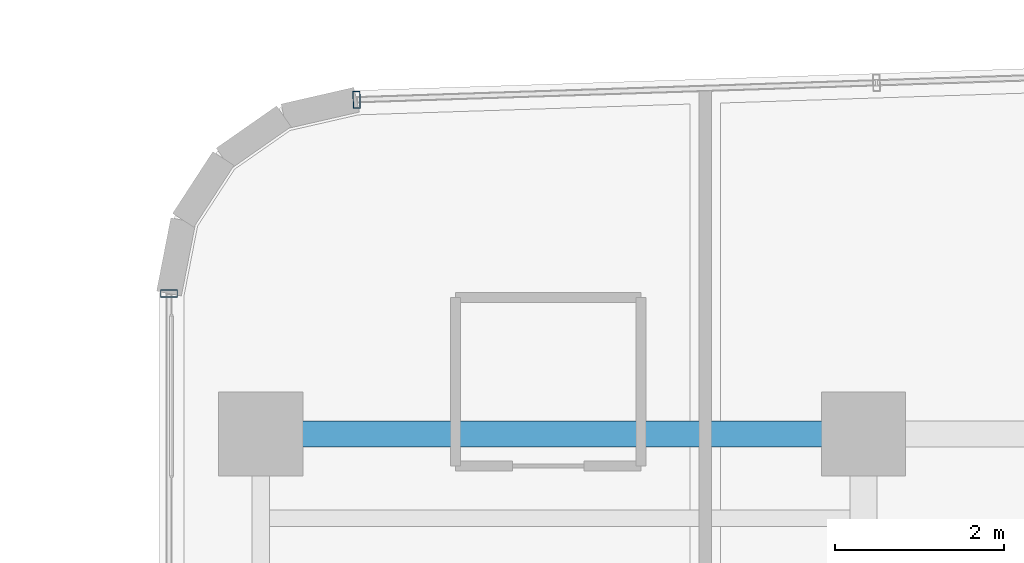
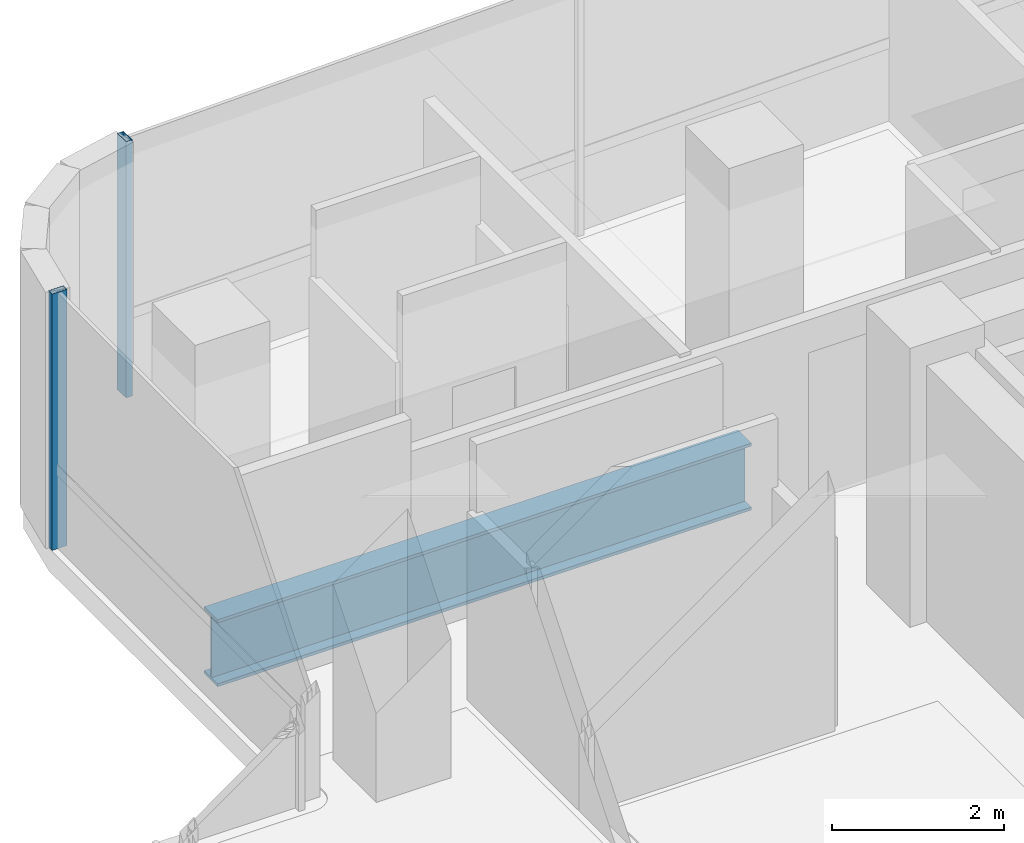
# One storey, part 17 of 38: 2 members, 1 beam, 2 elements without a shape of their own.
"""IFC4 building model written with IfcOpenShell, lengths in metres."""

from ifc_helpers import new_model, si_unit, direction, frame, origin, origin_2d, place, context, subcontext, project, spatial, hollow_rectangle, i_section, extrude, source, transform, mapped, material, material_profile, profile_set, type_object, element, aggregate, save


model = new_model("IFC4")

# Units and contexts
model_context = context("Model", 3, precision=1e-05, world=origin(), true_north=direction((0.0, 1.0)))
body_context = subcontext(model_context, "Body", "Model", "MODEL_VIEW")
ifc_project = project(units=[si_unit("LENGTHUNIT", "METRE"), si_unit("AREAUNIT", "SQUARE_METRE"), si_unit("VOLUMEUNIT", "CUBIC_METRE"), si_unit("PLANEANGLEUNIT", "RADIAN"), si_unit("MASSUNIT", "GRAM", prefix="KILO")], contexts=[model_context])

# Site, building, storey
site_placement = place(None, origin())
site = spatial("IfcSite", under=ifc_project, at=site_placement, CompositionType="ELEMENT")
building_placement = place(site_placement, origin())
building = spatial("IfcBuilding", under=site, at=building_placement, Name="Valdorenza Pilgrim Sanctuary Tower", CompositionType="ELEMENT")
storey_placement = place(building_placement, frame((0.0, 0.0, 180.5)))
storey = spatial("IfcBuildingStorey", under=building, at=storey_placement, Name="L46", CompositionType="ELEMENT", Elevation=180.5)

# Beam
ifc_material_1 = material(Name="Steel ASTM A992 Grade 50", Category="steel")
ifc_material_profile_1 = material_profile(ifc_material_1, i_section(OverallWidth=0.31005859375, OverallDepth=0.949951171875, WebThickness=0.0244140625, FlangeThickness=0.0439453125, at=origin_2d()), Name="W36X256")
ifc_profile_set_1 = profile_set([ifc_material_profile_1], Name="Steel ASTM A992 Grade 50")
beam_type = type_object("IfcBeamType", Name="STR-BM-GRD-W36B", PredefinedType="BEAM", material=ifc_profile_set_1)
shared_shape_1 = source(origin(), body_context, "Body", "SweptSolid", [
    extrude(i_section(OverallWidth=0.31005859375, OverallDepth=0.949951171875, WebThickness=0.0244140625, FlangeThickness=0.0439453125, at=origin_2d()), origin(), (0.0, 0.0, 1.0), 7.150146484375),
])
beam_placement = place(storey_placement, frame((-29.800048828125, 14.800048828125, -0.794921875), z_axis=(1.0, 0.0, 0.0), x_axis=(0.0, 1.0, 0.0)))
element("IfcBeam", 1, at=beam_placement, inside=storey, type_object=beam_type, Name="L46 Floor Girder WA-XW-N2", PredefinedType="BEAM", context=body_context, shape_type="MappedRepresentation", body=[
    mapped(shared_shape_1, transform((0.0, 0.0, 0.0), x_axis=(1.0, 0.0, 0.0), y_axis=(0.0, 1.0, 0.0), z_axis=(0.0, 0.0, 1.0), scale=1.0)),
])

# Curtain wall, member
ifc_material_2 = material(Name="Curtain-wall IGU glazing", Category="glass")
curtain_wall_type = type_object("IfcCurtainWallType", Name="CW-SYS-02", PredefinedType="NOTDEFINED", material=ifc_material_2)
curtain_wall_1_placement = place(storey_placement, origin())
curtain_wall_1 = element("IfcCurtainWall", 2, at=curtain_wall_1_placement, inside=storey, type_object=curtain_wall_type, Name="L46 Curtain Wall CW-L46-1-1S2", PredefinedType="NOTDEFINED")
ifc_material_3 = material(Name="Anodised aluminium AW-6060", Category="aluminium")
ifc_material_profile_2 = material_profile(ifc_material_3, hollow_rectangle(XDim=0.0849609375, YDim=0.199951171875, WallThickness=0.0048828125, at=origin_2d()), Name="ALU-M 200x85x5")
ifc_profile_set_2 = profile_set([ifc_material_profile_2], Name="Anodised aluminium AW-6060")
member_type = type_object("IfcMemberType", Name="CW-MUL-02", PredefinedType="MULLION", material=ifc_profile_set_2)
shared_shape_2 = source(origin(), body_context, "Body", "SweptSolid", [
    extrude(hollow_rectangle(XDim=0.0849609375, YDim=0.199951171875, WallThickness=0.0048828125, at=origin_2d()), origin(), (0.0, 0.0, 1.0), 3.6298828125),
])
member_1_placement = place(storey_placement, frame((-30.889892578125, 16.46630859375, 0.0), z_axis=(0.0, 0.0, 1.0), x_axis=(0.0, 1.0, 0.0)))
member_1 = element("IfcMember", 3, at=member_1_placement, type_object=member_type, Name="CW-L46-1-1S2 Mullion 2", PredefinedType="MULLION", context=body_context, shape_type="MappedRepresentation", body=[
    mapped(shared_shape_2, transform((0.0, 0.0, 0.0), x_axis=(1.0, 0.0, 0.0), y_axis=(0.0, 1.0, 0.0), z_axis=(0.0, 0.0, 1.0), scale=1.0)),
])
aggregate(curtain_wall_1, [member_1])

curtain_wall_2_placement = place(storey_placement, origin())
curtain_wall_2 = element("IfcCurtainWall", 4, at=curtain_wall_2_placement, inside=storey, type_object=curtain_wall_type, Name="L46 Curtain Wall CW-L46-1-6", PredefinedType="NOTDEFINED")
member_2_placement = place(storey_placement, frame((-28.663818359375, 18.76611328125, 0.0), z_axis=(0.0, 0.0, 1.0), x_axis=(0.999470282811, 0.032544642846, 0.0)))
member_2 = element("IfcMember", 5, at=member_2_placement, type_object=member_type, Name="CW-L46-1-6 Mullion 1", PredefinedType="MULLION", context=body_context, shape_type="MappedRepresentation", body=[
    mapped(shared_shape_2, transform((0.0, 0.0, 0.0), x_axis=(1.0, 0.0, 0.0), y_axis=(0.0, 1.0, 0.0), z_axis=(0.0, 0.0, 1.0), scale=1.0)),
])
aggregate(curtain_wall_2, [member_2])

save(model, "model.ifc")
